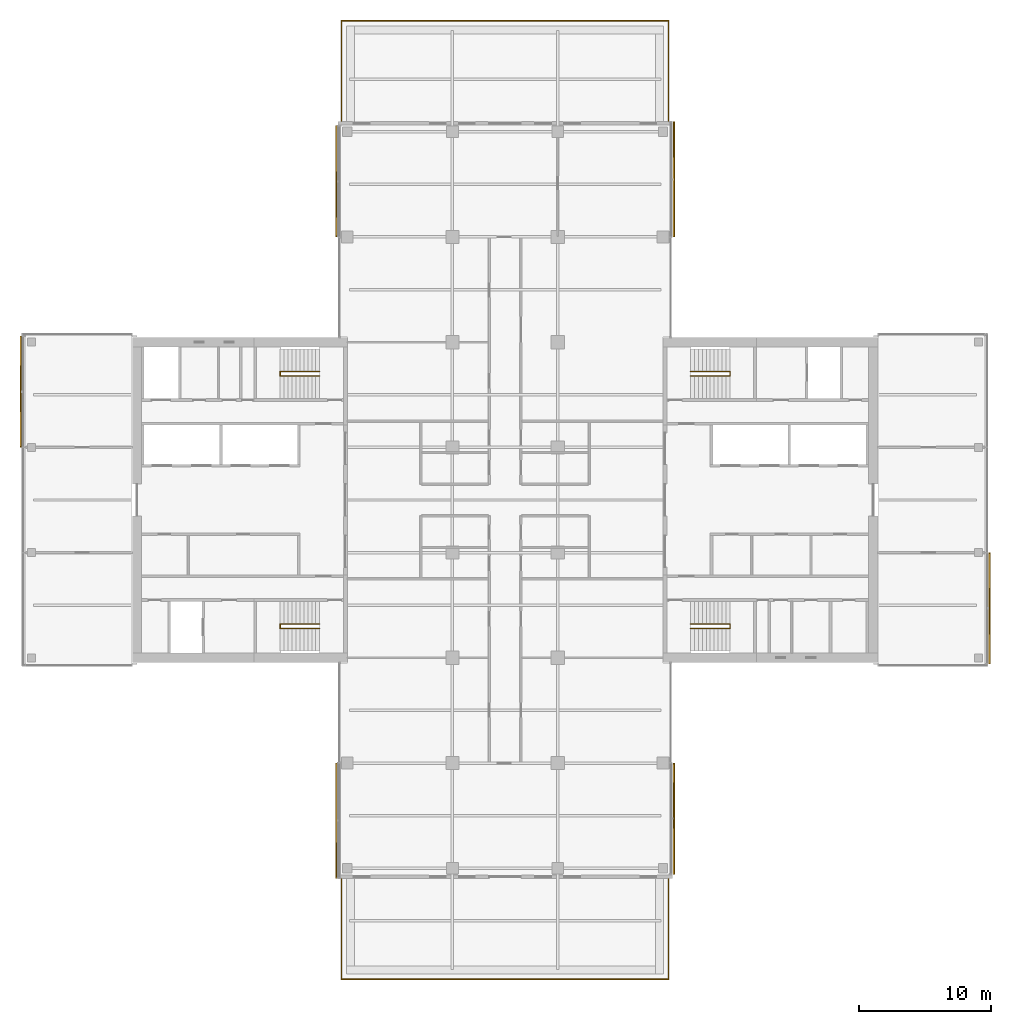
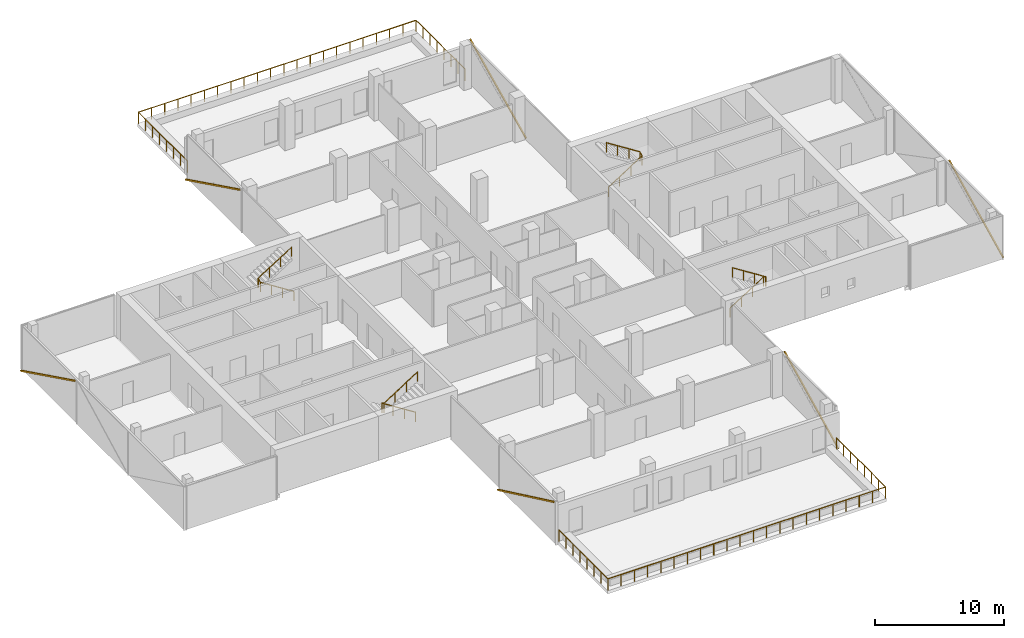
# One storey, part 24 of 24: 6 railings, 6 shading devices, 6 elements without a shape of their own.
"""IFC4 building model written with IfcOpenShell, lengths in metres."""

from ifc_helpers import new_model, si_unit, direction, frame, origin, origin_2d, place, context, subcontext, project, spatial, rectangle, circle, extrude, material, material_profile, profile_set, type_object, element, aggregate, save


model = new_model("IFC4")

# Units and contexts
model_context = context("Model", 3, precision=1e-05, world=origin(), true_north=direction((0.0, 1.0)))
body_context = subcontext(model_context, "Body", "Model", "MODEL_VIEW")
ifc_project = project(units=[si_unit("LENGTHUNIT", "METRE"), si_unit("AREAUNIT", "SQUARE_METRE"), si_unit("VOLUMEUNIT", "CUBIC_METRE"), si_unit("PLANEANGLEUNIT", "RADIAN"), si_unit("MASSUNIT", "GRAM", prefix="KILO")], contexts=[model_context])

# Site, building, storey
site_placement = place(None, origin())
site = spatial("IfcSite", under=ifc_project, at=site_placement, CompositionType="ELEMENT")
building_placement = place(site_placement, origin())
building = spatial("IfcBuilding", under=site, at=building_placement, Name="Crosswind Convention Tower", CompositionType="ELEMENT")
storey_placement = place(building_placement, frame((0.0, 0.0, 112.699951171875)))
storey = spatial("IfcBuildingStorey", under=building, at=storey_placement, Name="L22", CompositionType="ELEMENT", Elevation=112.699951171875)

# Railings
ifc_material_1 = material(Name="Stainless steel", Category="steel")
railing_type_1 = type_object("IfcRailingType", Name="Stair handrail 900", PredefinedType="HANDRAIL", material=ifc_material_1)
railing_1_placement = place(storey_placement, frame((139.10009765625, 109.43994140625, 0.19091796875)))
element("IfcRailing", 1, at=railing_1_placement, inside=storey, type_object=railing_type_1, Name="Stair ST1 handrail L22", PredefinedType="HANDRAIL", context=body_context, shape_type="SweptSolid", body=[
    extrude(circle(Radius=0.02392578125, at=origin_2d()), frame((0.0, 0.0, 0.8759765625), z_axis=(0.843650179428, 0.0, 0.536893261973), x_axis=(0.0, 1.0, 0.0)), (0.0, 0.0, 1.0), 3.555908203125),
    extrude(circle(Radius=0.02392578125, at=origin_2d()), frame((3.0, 0.0, 2.78515625), z_axis=(0.0, 0.858819504967, 0.512278301208), x_axis=(-1.0, 0.0, 0.0)), (0.0, 0.0, 1.0), 0.372802734375),
    extrude(circle(Radius=0.02392578125, at=origin_2d()), frame((3.0, 0.320068359375, 2.97607421875), z_axis=(-0.843681277094, 0.0, 0.536844393359), x_axis=(0.0, -1.0, 0.0)), (0.0, 0.0, 1.0), 3.555908203125),
    extrude(circle(Radius=0.02099609375, at=origin_2d()), origin(), (0.0, 0.0, 1.0), 0.851806640625),
    extrude(circle(Radius=0.02099609375, at=origin_2d()), frame((1.0, 0.0, 0.636474609375)), (0.0, 0.0, 1.0), 0.851806640625),
    extrude(circle(Radius=0.02099609375, at=origin_2d()), frame((2.0, 0.0, 1.272705078125)), (0.0, 0.0, 1.0), 0.851806640625),
    extrude(circle(Radius=0.02099609375, at=origin_2d()), frame((3.0, 0.0, 1.9091796875)), (0.0, 0.0, 1.0), 0.851806640625),
    extrude(circle(Radius=0.02099609375, at=origin_2d()), frame((3.0, 0.320068359375, 2.10009765625)), (0.0, 0.0, 1.0), 0.851806640625),
    extrude(circle(Radius=0.02099609375, at=origin_2d()), frame((2.0, 0.320068359375, 2.736328125)), (0.0, 0.0, 1.0), 0.851806640625),
    extrude(circle(Radius=0.02099609375, at=origin_2d()), frame((1.0, 0.320068359375, 3.372802734375)), (0.0, 0.0, 1.0), 0.851806640625),
    extrude(circle(Radius=0.02099609375, at=origin_2d()), frame((0.0, 0.320068359375, 4.009033203125)), (0.0, 0.0, 1.0), 0.851806640625),
])
railing_2_placement = place(storey_placement, frame((139.10009765625, 90.56005859375, 0.19091796875)))
element("IfcRailing", 2, at=railing_2_placement, inside=storey, type_object=railing_type_1, Name="Stair ST2 handrail L22", PredefinedType="HANDRAIL", context=body_context, shape_type="SweptSolid", body=[
    extrude(circle(Radius=0.02392578125, at=origin_2d()), frame((0.0, 0.0, 0.8759765625), z_axis=(0.843650179428, 0.0, 0.536893261973), x_axis=(0.0, 1.0, 0.0)), (0.0, 0.0, 1.0), 3.555908203125),
    extrude(circle(Radius=0.02392578125, at=origin_2d()), frame((3.0, 0.0, 2.78515625), z_axis=(0.0, -0.858819504967, 0.512278301208), x_axis=(1.0, 0.0, 0.0)), (0.0, 0.0, 1.0), 0.372802734375),
    extrude(circle(Radius=0.02392578125, at=origin_2d()), frame((3.0, -0.320068359375, 2.97607421875), z_axis=(-0.843681277094, 0.0, 0.536844393359), x_axis=(0.0, -1.0, 0.0)), (0.0, 0.0, 1.0), 3.555908203125),
    extrude(circle(Radius=0.02099609375, at=origin_2d()), origin(), (0.0, 0.0, 1.0), 0.851806640625),
    extrude(circle(Radius=0.02099609375, at=origin_2d()), frame((1.0, 0.0, 0.636474609375)), (0.0, 0.0, 1.0), 0.851806640625),
    extrude(circle(Radius=0.02099609375, at=origin_2d()), frame((2.0, 0.0, 1.272705078125)), (0.0, 0.0, 1.0), 0.851806640625),
    extrude(circle(Radius=0.02099609375, at=origin_2d()), frame((3.0, 0.0, 1.9091796875)), (0.0, 0.0, 1.0), 0.851806640625),
    extrude(circle(Radius=0.02099609375, at=origin_2d()), frame((3.0, -0.320068359375, 2.10009765625)), (0.0, 0.0, 1.0), 0.851806640625),
    extrude(circle(Radius=0.02099609375, at=origin_2d()), frame((2.0, -0.320068359375, 2.736328125)), (0.0, 0.0, 1.0), 0.851806640625),
    extrude(circle(Radius=0.02099609375, at=origin_2d()), frame((1.0, -0.320068359375, 3.372802734375)), (0.0, 0.0, 1.0), 0.851806640625),
    extrude(circle(Radius=0.02099609375, at=origin_2d()), frame((0.0, -0.320068359375, 4.009033203125)), (0.0, 0.0, 1.0), 0.851806640625),
])
railing_3_placement = place(storey_placement, frame((110.89990234375, 90.56005859375, 0.19091796875)))
element("IfcRailing", 3, at=railing_3_placement, inside=storey, type_object=railing_type_1, Name="Stair ST3 handrail L22", PredefinedType="HANDRAIL", context=body_context, shape_type="SweptSolid", body=[
    extrude(circle(Radius=0.02392578125, at=origin_2d()), frame((0.0, 0.0, 0.8759765625), z_axis=(-0.843650179428, 0.0, 0.536893261973), x_axis=(0.0, -1.0, 0.0)), (0.0, 0.0, 1.0), 3.555908203125),
    extrude(circle(Radius=0.02392578125, at=origin_2d()), frame((-3.0, 0.0, 2.78515625), z_axis=(0.0, -0.858819504967, 0.512278301208), x_axis=(1.0, 0.0, 0.0)), (0.0, 0.0, 1.0), 0.372802734375),
    extrude(circle(Radius=0.02392578125, at=origin_2d()), frame((-3.0, -0.320068359375, 2.97607421875), z_axis=(0.843681277094, 0.0, 0.536844393359), x_axis=(0.0, 1.0, 0.0)), (0.0, 0.0, 1.0), 3.555908203125),
    extrude(circle(Radius=0.02099609375, at=origin_2d()), origin(), (0.0, 0.0, 1.0), 0.851806640625),
    extrude(circle(Radius=0.02099609375, at=origin_2d()), frame((-1.0, 0.0, 0.636474609375)), (0.0, 0.0, 1.0), 0.851806640625),
    extrude(circle(Radius=0.02099609375, at=origin_2d()), frame((-2.0, 0.0, 1.272705078125)), (0.0, 0.0, 1.0), 0.851806640625),
    extrude(circle(Radius=0.02099609375, at=origin_2d()), frame((-3.0, 0.0, 1.9091796875)), (0.0, 0.0, 1.0), 0.851806640625),
    extrude(circle(Radius=0.02099609375, at=origin_2d()), frame((-3.0, -0.320068359375, 2.10009765625)), (0.0, 0.0, 1.0), 0.851806640625),
    extrude(circle(Radius=0.02099609375, at=origin_2d()), frame((-2.0, -0.320068359375, 2.736328125)), (0.0, 0.0, 1.0), 0.851806640625),
    extrude(circle(Radius=0.02099609375, at=origin_2d()), frame((-1.0, -0.320068359375, 3.372802734375)), (0.0, 0.0, 1.0), 0.851806640625),
    extrude(circle(Radius=0.02099609375, at=origin_2d()), frame((0.0, -0.320068359375, 4.009033203125)), (0.0, 0.0, 1.0), 0.851806640625),
])
railing_4_placement = place(storey_placement, frame((110.89990234375, 109.43994140625, 0.19091796875)))
element("IfcRailing", 4, at=railing_4_placement, inside=storey, type_object=railing_type_1, Name="Stair ST4 handrail L22", PredefinedType="HANDRAIL", context=body_context, shape_type="SweptSolid", body=[
    extrude(circle(Radius=0.02392578125, at=origin_2d()), frame((0.0, 0.0, 0.8759765625), z_axis=(-0.843650179428, 0.0, 0.536893261973), x_axis=(0.0, -1.0, 0.0)), (0.0, 0.0, 1.0), 3.555908203125),
    extrude(circle(Radius=0.02392578125, at=origin_2d()), frame((-3.0, 0.0, 2.78515625), z_axis=(0.0, 0.858819504967, 0.512278301208), x_axis=(-1.0, 0.0, 0.0)), (0.0, 0.0, 1.0), 0.372802734375),
    extrude(circle(Radius=0.02392578125, at=origin_2d()), frame((-3.0, 0.320068359375, 2.97607421875), z_axis=(0.843681277094, 0.0, 0.536844393359), x_axis=(0.0, 1.0, 0.0)), (0.0, 0.0, 1.0), 3.555908203125),
    extrude(circle(Radius=0.02099609375, at=origin_2d()), origin(), (0.0, 0.0, 1.0), 0.851806640625),
    extrude(circle(Radius=0.02099609375, at=origin_2d()), frame((-1.0, 0.0, 0.636474609375)), (0.0, 0.0, 1.0), 0.851806640625),
    extrude(circle(Radius=0.02099609375, at=origin_2d()), frame((-2.0, 0.0, 1.272705078125)), (0.0, 0.0, 1.0), 0.851806640625),
    extrude(circle(Radius=0.02099609375, at=origin_2d()), frame((-3.0, 0.0, 1.9091796875)), (0.0, 0.0, 1.0), 0.851806640625),
    extrude(circle(Radius=0.02099609375, at=origin_2d()), frame((-3.0, 0.320068359375, 2.10009765625)), (0.0, 0.0, 1.0), 0.851806640625),
    extrude(circle(Radius=0.02099609375, at=origin_2d()), frame((-2.0, 0.320068359375, 2.736328125)), (0.0, 0.0, 1.0), 0.851806640625),
    extrude(circle(Radius=0.02099609375, at=origin_2d()), frame((-1.0, 0.320068359375, 3.372802734375)), (0.0, 0.0, 1.0), 0.851806640625),
    extrude(circle(Radius=0.02099609375, at=origin_2d()), frame((0.0, 0.320068359375, 4.009033203125)), (0.0, 0.0, 1.0), 0.851806640625),
])
ifc_material_2 = material(Name="Steel and laminated glass guard", Category="steel")
railing_type_2 = type_object("IfcRailingType", Name="TERRACE GUARD 1100", PredefinedType="GUARDRAIL", material=ifc_material_2)
railing_5_placement = place(storey_placement, frame((137.43994140625, 71.175048828125, 0.0)))
element("IfcRailing", 5, at=railing_5_placement, inside=storey, type_object=railing_type_2, Name="R10 terrace guard L22 S 1", PredefinedType="GUARDRAIL", context=body_context, shape_type="SweptSolid", body=[
    extrude(circle(Radius=0.02392578125, at=origin_2d()), frame((0.0, 0.0, 1.076171875), z_axis=(0.0, -1.0, 0.0), x_axis=(1.0, 0.0, 0.0)), (0.0, 0.0, 1.0), 7.614990234375),
    extrude(circle(Radius=0.02392578125, at=origin_2d()), frame((0.0, -7.614990234375, 1.076171875), z_axis=(-1.0, 0.0, 0.0), x_axis=(0.0, -1.0, 0.0)), (0.0, 0.0, 1.0), 24.8798828125),
    extrude(circle(Radius=0.02392578125, at=origin_2d()), frame((-24.8798828125, -7.614990234375, 1.076171875), z_axis=(0.0, 1.0, 0.0), x_axis=(-1.0, 0.0, 0.0)), (0.0, 0.0, 1.0), 7.614990234375),
    extrude(circle(Radius=0.02099609375, at=origin_2d()), origin(), (0.0, 0.0, 1.0), 1.052001953125),
    extrude(circle(Radius=0.02099609375, at=origin_2d()), frame((0.0, -1.087890625, 0.0)), (0.0, 0.0, 1.0), 1.052001953125),
    extrude(circle(Radius=0.02099609375, at=origin_2d()), frame((0.0, -2.17578125, 0.0)), (0.0, 0.0, 1.0), 1.052001953125),
    extrude(circle(Radius=0.02099609375, at=origin_2d()), frame((0.0, -3.263671875, 0.0)), (0.0, 0.0, 1.0), 1.052001953125),
    extrude(circle(Radius=0.02099609375, at=origin_2d()), frame((0.0, -4.351318359375, 0.0)), (0.0, 0.0, 1.0), 1.052001953125),
    extrude(circle(Radius=0.02099609375, at=origin_2d()), frame((0.0, -5.439208984375, 0.0)), (0.0, 0.0, 1.0), 1.052001953125),
    extrude(circle(Radius=0.02099609375, at=origin_2d()), frame((0.0, -6.527099609375, 0.0)), (0.0, 0.0, 1.0), 1.052001953125),
    extrude(circle(Radius=0.02099609375, at=origin_2d()), frame((0.0, -7.614990234375, 0.0)), (0.0, 0.0, 1.0), 1.052001953125),
    extrude(circle(Radius=0.02099609375, at=origin_2d()), frame((-1.184814453125, -7.614990234375, 0.0)), (0.0, 0.0, 1.0), 1.052001953125),
    extrude(circle(Radius=0.02099609375, at=origin_2d()), frame((-2.36962890625, -7.614990234375, 0.0)), (0.0, 0.0, 1.0), 1.052001953125),
    extrude(circle(Radius=0.02099609375, at=origin_2d()), frame((-3.55419921875, -7.614990234375, 0.0)), (0.0, 0.0, 1.0), 1.052001953125),
    extrude(circle(Radius=0.02099609375, at=origin_2d()), frame((-4.739013671875, -7.614990234375, 0.0)), (0.0, 0.0, 1.0), 1.052001953125),
    extrude(circle(Radius=0.02099609375, at=origin_2d()), frame((-5.923828125, -7.614990234375, 0.0)), (0.0, 0.0, 1.0), 1.052001953125),
    extrude(circle(Radius=0.02099609375, at=origin_2d()), frame((-7.108642578125, -7.614990234375, 0.0)), (0.0, 0.0, 1.0), 1.052001953125),
    extrude(circle(Radius=0.02099609375, at=origin_2d()), frame((-8.293212890625, -7.614990234375, 0.0)), (0.0, 0.0, 1.0), 1.052001953125),
    extrude(circle(Radius=0.02099609375, at=origin_2d()), frame((-9.47802734375, -7.614990234375, 0.0)), (0.0, 0.0, 1.0), 1.052001953125),
    extrude(circle(Radius=0.02099609375, at=origin_2d()), frame((-10.662841796875, -7.614990234375, 0.0)), (0.0, 0.0, 1.0), 1.052001953125),
    extrude(circle(Radius=0.02099609375, at=origin_2d()), frame((-11.84765625, -7.614990234375, 0.0)), (0.0, 0.0, 1.0), 1.052001953125),
    extrude(circle(Radius=0.02099609375, at=origin_2d()), frame((-13.0322265625, -7.614990234375, 0.0)), (0.0, 0.0, 1.0), 1.052001953125),
    extrude(circle(Radius=0.02099609375, at=origin_2d()), frame((-14.217041015625, -7.614990234375, 0.0)), (0.0, 0.0, 1.0), 1.052001953125),
    extrude(circle(Radius=0.02099609375, at=origin_2d()), frame((-15.40185546875, -7.614990234375, 0.0)), (0.0, 0.0, 1.0), 1.052001953125),
    extrude(circle(Radius=0.02099609375, at=origin_2d()), frame((-16.586669921875, -7.614990234375, 0.0)), (0.0, 0.0, 1.0), 1.052001953125),
    extrude(circle(Radius=0.02099609375, at=origin_2d()), frame((-17.771240234375, -7.614990234375, 0.0)), (0.0, 0.0, 1.0), 1.052001953125),
    extrude(circle(Radius=0.02099609375, at=origin_2d()), frame((-18.9560546875, -7.614990234375, 0.0)), (0.0, 0.0, 1.0), 1.052001953125),
    extrude(circle(Radius=0.02099609375, at=origin_2d()), frame((-20.140869140625, -7.614990234375, 0.0)), (0.0, 0.0, 1.0), 1.052001953125),
    extrude(circle(Radius=0.02099609375, at=origin_2d()), frame((-21.32568359375, -7.614990234375, 0.0)), (0.0, 0.0, 1.0), 1.052001953125),
    extrude(circle(Radius=0.02099609375, at=origin_2d()), frame((-22.51025390625, -7.614990234375, 0.0)), (0.0, 0.0, 1.0), 1.052001953125),
    extrude(circle(Radius=0.02099609375, at=origin_2d()), frame((-23.695068359375, -7.614990234375, 0.0)), (0.0, 0.0, 1.0), 1.052001953125),
    extrude(circle(Radius=0.02099609375, at=origin_2d()), frame((-24.8798828125, -7.614990234375, 0.0)), (0.0, 0.0, 1.0), 1.052001953125),
    extrude(circle(Radius=0.02099609375, at=origin_2d()), frame((-24.8798828125, -6.527099609375, 0.0)), (0.0, 0.0, 1.0), 1.052001953125),
    extrude(circle(Radius=0.02099609375, at=origin_2d()), frame((-24.8798828125, -5.439208984375, 0.0)), (0.0, 0.0, 1.0), 1.052001953125),
    extrude(circle(Radius=0.02099609375, at=origin_2d()), frame((-24.8798828125, -4.351318359375, 0.0)), (0.0, 0.0, 1.0), 1.052001953125),
    extrude(circle(Radius=0.02099609375, at=origin_2d()), frame((-24.8798828125, -3.263671875, 0.0)), (0.0, 0.0, 1.0), 1.052001953125),
    extrude(circle(Radius=0.02099609375, at=origin_2d()), frame((-24.8798828125, -2.17578125, 0.0)), (0.0, 0.0, 1.0), 1.052001953125),
    extrude(circle(Radius=0.02099609375, at=origin_2d()), frame((-24.8798828125, -1.087890625, 0.0)), (0.0, 0.0, 1.0), 1.052001953125),
    extrude(circle(Radius=0.02099609375, at=origin_2d()), frame((-24.8798828125, 0.0, 0.0)), (0.0, 0.0, 1.0), 1.052001953125),
])
railing_6_placement = place(storey_placement, frame((112.56005859375, 128.824951171875, 0.0)))
element("IfcRailing", 6, at=railing_6_placement, inside=storey, type_object=railing_type_2, Name="R10 terrace guard L22 N 1", PredefinedType="GUARDRAIL", context=body_context, shape_type="SweptSolid", body=[
    extrude(circle(Radius=0.02392578125, at=origin_2d()), frame((0.0, 0.0, 1.076171875), z_axis=(0.0, 1.0, 0.0), x_axis=(-1.0, 0.0, 0.0)), (0.0, 0.0, 1.0), 7.614990234375),
    extrude(circle(Radius=0.02392578125, at=origin_2d()), frame((0.0, 7.614990234375, 1.076171875), z_axis=(1.0, 0.0, 0.0), x_axis=(0.0, 1.0, 0.0)), (0.0, 0.0, 1.0), 24.8798828125),
    extrude(circle(Radius=0.02392578125, at=origin_2d()), frame((24.8798828125, 7.614990234375, 1.076171875), z_axis=(0.0, -1.0, 0.0), x_axis=(1.0, 0.0, 0.0)), (0.0, 0.0, 1.0), 7.614990234375),
    extrude(circle(Radius=0.02099609375, at=origin_2d()), origin(), (0.0, 0.0, 1.0), 1.052001953125),
    extrude(circle(Radius=0.02099609375, at=origin_2d()), frame((0.0, 1.087890625, 0.0)), (0.0, 0.0, 1.0), 1.052001953125),
    extrude(circle(Radius=0.02099609375, at=origin_2d()), frame((0.0, 2.17578125, 0.0)), (0.0, 0.0, 1.0), 1.052001953125),
    extrude(circle(Radius=0.02099609375, at=origin_2d()), frame((0.0, 3.263671875, 0.0)), (0.0, 0.0, 1.0), 1.052001953125),
    extrude(circle(Radius=0.02099609375, at=origin_2d()), frame((0.0, 4.351318359375, 0.0)), (0.0, 0.0, 1.0), 1.052001953125),
    extrude(circle(Radius=0.02099609375, at=origin_2d()), frame((0.0, 5.439208984375, 0.0)), (0.0, 0.0, 1.0), 1.052001953125),
    extrude(circle(Radius=0.02099609375, at=origin_2d()), frame((0.0, 6.527099609375, 0.0)), (0.0, 0.0, 1.0), 1.052001953125),
    extrude(circle(Radius=0.02099609375, at=origin_2d()), frame((0.0, 7.614990234375, 0.0)), (0.0, 0.0, 1.0), 1.052001953125),
    extrude(circle(Radius=0.02099609375, at=origin_2d()), frame((1.184814453125, 7.614990234375, 0.0)), (0.0, 0.0, 1.0), 1.052001953125),
    extrude(circle(Radius=0.02099609375, at=origin_2d()), frame((2.36962890625, 7.614990234375, 0.0)), (0.0, 0.0, 1.0), 1.052001953125),
    extrude(circle(Radius=0.02099609375, at=origin_2d()), frame((3.55419921875, 7.614990234375, 0.0)), (0.0, 0.0, 1.0), 1.052001953125),
    extrude(circle(Radius=0.02099609375, at=origin_2d()), frame((4.739013671875, 7.614990234375, 0.0)), (0.0, 0.0, 1.0), 1.052001953125),
    extrude(circle(Radius=0.02099609375, at=origin_2d()), frame((5.923828125, 7.614990234375, 0.0)), (0.0, 0.0, 1.0), 1.052001953125),
    extrude(circle(Radius=0.02099609375, at=origin_2d()), frame((7.108642578125, 7.614990234375, 0.0)), (0.0, 0.0, 1.0), 1.052001953125),
    extrude(circle(Radius=0.02099609375, at=origin_2d()), frame((8.293212890625, 7.614990234375, 0.0)), (0.0, 0.0, 1.0), 1.052001953125),
    extrude(circle(Radius=0.02099609375, at=origin_2d()), frame((9.47802734375, 7.614990234375, 0.0)), (0.0, 0.0, 1.0), 1.052001953125),
    extrude(circle(Radius=0.02099609375, at=origin_2d()), frame((10.662841796875, 7.614990234375, 0.0)), (0.0, 0.0, 1.0), 1.052001953125),
    extrude(circle(Radius=0.02099609375, at=origin_2d()), frame((11.84765625, 7.614990234375, 0.0)), (0.0, 0.0, 1.0), 1.052001953125),
    extrude(circle(Radius=0.02099609375, at=origin_2d()), frame((13.0322265625, 7.614990234375, 0.0)), (0.0, 0.0, 1.0), 1.052001953125),
    extrude(circle(Radius=0.02099609375, at=origin_2d()), frame((14.217041015625, 7.614990234375, 0.0)), (0.0, 0.0, 1.0), 1.052001953125),
    extrude(circle(Radius=0.02099609375, at=origin_2d()), frame((15.40185546875, 7.614990234375, 0.0)), (0.0, 0.0, 1.0), 1.052001953125),
    extrude(circle(Radius=0.02099609375, at=origin_2d()), frame((16.586669921875, 7.614990234375, 0.0)), (0.0, 0.0, 1.0), 1.052001953125),
    extrude(circle(Radius=0.02099609375, at=origin_2d()), frame((17.771240234375, 7.614990234375, 0.0)), (0.0, 0.0, 1.0), 1.052001953125),
    extrude(circle(Radius=0.02099609375, at=origin_2d()), frame((18.9560546875, 7.614990234375, 0.0)), (0.0, 0.0, 1.0), 1.052001953125),
    extrude(circle(Radius=0.02099609375, at=origin_2d()), frame((20.140869140625, 7.614990234375, 0.0)), (0.0, 0.0, 1.0), 1.052001953125),
    extrude(circle(Radius=0.02099609375, at=origin_2d()), frame((21.32568359375, 7.614990234375, 0.0)), (0.0, 0.0, 1.0), 1.052001953125),
    extrude(circle(Radius=0.02099609375, at=origin_2d()), frame((22.51025390625, 7.614990234375, 0.0)), (0.0, 0.0, 1.0), 1.052001953125),
    extrude(circle(Radius=0.02099609375, at=origin_2d()), frame((23.695068359375, 7.614990234375, 0.0)), (0.0, 0.0, 1.0), 1.052001953125),
    extrude(circle(Radius=0.02099609375, at=origin_2d()), frame((24.8798828125, 7.614990234375, 0.0)), (0.0, 0.0, 1.0), 1.052001953125),
    extrude(circle(Radius=0.02099609375, at=origin_2d()), frame((24.8798828125, 6.527099609375, 0.0)), (0.0, 0.0, 1.0), 1.052001953125),
    extrude(circle(Radius=0.02099609375, at=origin_2d()), frame((24.8798828125, 5.439208984375, 0.0)), (0.0, 0.0, 1.0), 1.052001953125),
    extrude(circle(Radius=0.02099609375, at=origin_2d()), frame((24.8798828125, 4.351318359375, 0.0)), (0.0, 0.0, 1.0), 1.052001953125),
    extrude(circle(Radius=0.02099609375, at=origin_2d()), frame((24.8798828125, 3.263671875, 0.0)), (0.0, 0.0, 1.0), 1.052001953125),
    extrude(circle(Radius=0.02099609375, at=origin_2d()), frame((24.8798828125, 2.17578125, 0.0)), (0.0, 0.0, 1.0), 1.052001953125),
    extrude(circle(Radius=0.02099609375, at=origin_2d()), frame((24.8798828125, 1.087890625, 0.0)), (0.0, 0.0, 1.0), 1.052001953125),
    extrude(circle(Radius=0.02099609375, at=origin_2d()), frame((24.8798828125, 0.0, 0.0)), (0.0, 0.0, 1.0), 1.052001953125),
])

# Curtain wall, shading device
ifc_material_3 = material(Name="Aluminium unitised curtain wall", Category="aluminium")
curtain_wall_type = type_object("IfcCurtainWallType", Name="OFFICE UNITISED WALL 220", PredefinedType="USERDEFINED", material=ifc_material_3)
curtain_wall_1_placement = place(storey_placement, origin())
curtain_wall_1 = element("IfcCurtainWall", 7, at=curtain_wall_1_placement, inside=storey, type_object=curtain_wall_type, Name="CW3 L22 E-TIP 1", ObjectType="UNITISED", PredefinedType="USERDEFINED")
ifc_material_4 = material(Name="Extruded terracotta", Category="masonry")
ifc_material_profile = material_profile(ifc_material_4, rectangle(XDim=0.110107421875, YDim=0.1298828125, at=origin_2d()), Name="TC 110X130")
ifc_profile_set = profile_set([ifc_material_profile], Name="Extruded terracotta")
shading_device_type = type_object("IfcShadingDeviceType", Name="TERRACOTTA BAGUETTE 130X110", PredefinedType="USERDEFINED", material=ifc_profile_set)
shading_device_1_placement = place(storey_placement, frame((161.8310546875, 87.570068359375, -0.300048828125), z_axis=(0.0, 0.89728947872, 0.44144262524), x_axis=(-1.0, 0.0, 0.0)))
shading_device_1 = element("IfcShadingDevice", 8, at=shading_device_1_placement, type_object=shading_device_type, Name="CW3 terracotta baguette 1", ObjectType="BAGUETTE", PredefinedType="USERDEFINED", context=body_context, shape_type="SweptSolid", body=[
    extrude(rectangle(XDim=0.110107421875, YDim=0.1298828125, at=origin_2d()), origin(), (0.0, 0.0, 1.0), 9.35595703125),
])
aggregate(curtain_wall_1, [shading_device_1])

curtain_wall_2_placement = place(storey_placement, origin())
curtain_wall_2 = element("IfcCurtainWall", 9, at=curtain_wall_2_placement, inside=storey, type_object=curtain_wall_type, Name="CW3 L22 N-E 1", ObjectType="UNITISED", PredefinedType="USERDEFINED")
shading_device_2_placement = place(storey_placement, frame((137.8310546875, 120.034912109375, -0.300048828125), z_axis=(0.0, 0.903278733019, 0.429054227895), x_axis=(-1.0, 0.0, 0.0)))
shading_device_2 = element("IfcShadingDevice", 10, at=shading_device_2_placement, type_object=shading_device_type, Name="CW3 terracotta baguette 1", ObjectType="BAGUETTE", PredefinedType="USERDEFINED", context=body_context, shape_type="SweptSolid", body=[
    extrude(rectangle(XDim=0.110107421875, YDim=0.1298828125, at=origin_2d()), origin(), (0.0, 0.0, 1.0), 9.626220703125),
])
aggregate(curtain_wall_2, [shading_device_2])

curtain_wall_3_placement = place(storey_placement, origin())
curtain_wall_3 = element("IfcCurtainWall", 11, at=curtain_wall_3_placement, inside=storey, type_object=curtain_wall_type, Name="CW3 L22 N-W 1", ObjectType="UNITISED", PredefinedType="USERDEFINED")
shading_device_3_placement = place(storey_placement, frame((112.1689453125, 128.429931640625, -0.300048828125), z_axis=(0.0, -0.89728947872, 0.44144262524), x_axis=(1.0, 0.0, 0.0)))
shading_device_3 = element("IfcShadingDevice", 12, at=shading_device_3_placement, type_object=shading_device_type, Name="CW3 terracotta baguette 1", ObjectType="BAGUETTE", PredefinedType="USERDEFINED", context=body_context, shape_type="SweptSolid", body=[
    extrude(rectangle(XDim=0.110107421875, YDim=0.1298828125, at=origin_2d()), origin(), (0.0, 0.0, 1.0), 9.35595703125),
])
aggregate(curtain_wall_3, [shading_device_3])

curtain_wall_4_placement = place(storey_placement, origin())
curtain_wall_4 = element("IfcCurtainWall", 13, at=curtain_wall_4_placement, inside=storey, type_object=curtain_wall_type, Name="CW3 L22 W-TIP 1", ObjectType="UNITISED", PredefinedType="USERDEFINED")
shading_device_4_placement = place(storey_placement, frame((88.1689453125, 112.429931640625, -0.300048828125), z_axis=(0.0, -0.89728947872, 0.44144262524), x_axis=(1.0, 0.0, 0.0)))
shading_device_4 = element("IfcShadingDevice", 14, at=shading_device_4_placement, type_object=shading_device_type, Name="CW3 terracotta baguette 1", ObjectType="BAGUETTE", PredefinedType="USERDEFINED", context=body_context, shape_type="SweptSolid", body=[
    extrude(rectangle(XDim=0.110107421875, YDim=0.1298828125, at=origin_2d()), origin(), (0.0, 0.0, 1.0), 9.35595703125),
])
aggregate(curtain_wall_4, [shading_device_4])

curtain_wall_5_placement = place(storey_placement, origin())
curtain_wall_5 = element("IfcCurtainWall", 15, at=curtain_wall_5_placement, inside=storey, type_object=curtain_wall_type, Name="CW3 L22 S-W 1", ObjectType="UNITISED", PredefinedType="USERDEFINED")
shading_device_5_placement = place(storey_placement, frame((112.1689453125, 79.965087890625, -0.300048828125), z_axis=(0.0, -0.903278733019, 0.429054227895), x_axis=(1.0, 0.0, 0.0)))
shading_device_5 = element("IfcShadingDevice", 16, at=shading_device_5_placement, type_object=shading_device_type, Name="CW3 terracotta baguette 1", ObjectType="BAGUETTE", PredefinedType="USERDEFINED", context=body_context, shape_type="SweptSolid", body=[
    extrude(rectangle(XDim=0.110107421875, YDim=0.1298828125, at=origin_2d()), origin(), (0.0, 0.0, 1.0), 9.626220703125),
])
aggregate(curtain_wall_5, [shading_device_5])

curtain_wall_6_placement = place(storey_placement, origin())
curtain_wall_6 = element("IfcCurtainWall", 17, at=curtain_wall_6_placement, inside=storey, type_object=curtain_wall_type, Name="CW3 L22 S-E 1", ObjectType="UNITISED", PredefinedType="USERDEFINED")
shading_device_6_placement = place(storey_placement, frame((137.8310546875, 71.570068359375, -0.300048828125), z_axis=(0.0, 0.89728947872, 0.44144262524), x_axis=(-1.0, 0.0, 0.0)))
shading_device_6 = element("IfcShadingDevice", 18, at=shading_device_6_placement, type_object=shading_device_type, Name="CW3 terracotta baguette 1", ObjectType="BAGUETTE", PredefinedType="USERDEFINED", context=body_context, shape_type="SweptSolid", body=[
    extrude(rectangle(XDim=0.110107421875, YDim=0.1298828125, at=origin_2d()), origin(), (0.0, 0.0, 1.0), 9.35595703125),
])
aggregate(curtain_wall_6, [shading_device_6])

save(model, "model.ifc")
